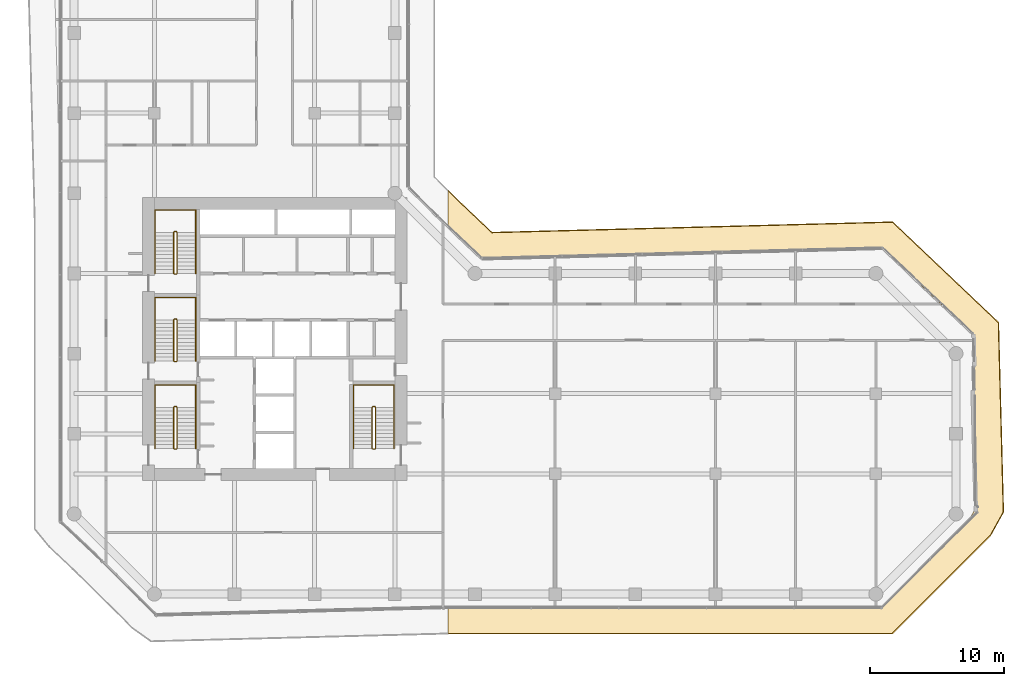
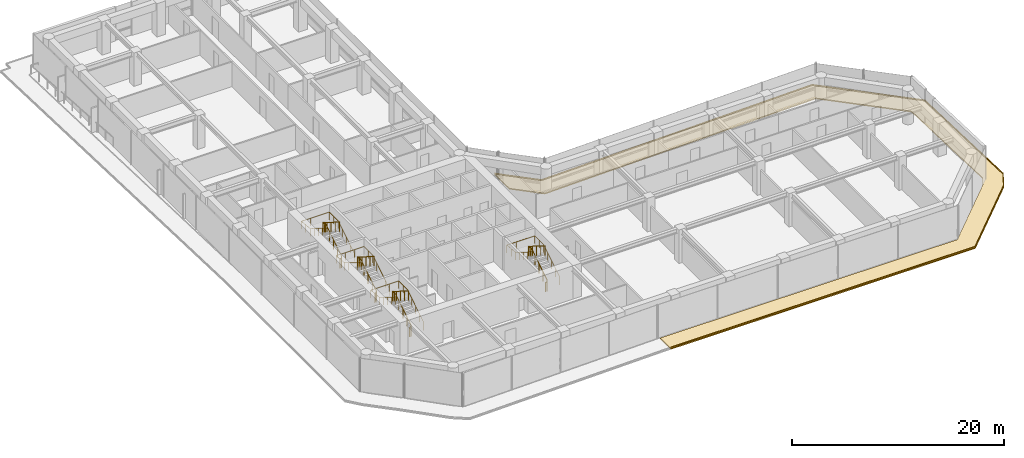
# One storey, part 28 of 29: 8 railings, 2 coverings.
"""IFC4 building model written with IfcOpenShell, lengths in metres."""

from ifc_helpers import new_model, si_unit, direction, frame, origin, origin_2d, place, context, subcontext, project, spatial, polyline, circle, outline, extrude, material, layer, layer_set, type_object, element, save


model = new_model("IFC4")

# Units and contexts
model_context = context("Model", 3, precision=1e-05, world=origin(), true_north=direction((0.0, 1.0)))
body_context = subcontext(model_context, "Body", "Model", "MODEL_VIEW")
ifc_project = project(units=[si_unit("LENGTHUNIT", "METRE"), si_unit("AREAUNIT", "SQUARE_METRE"), si_unit("VOLUMEUNIT", "CUBIC_METRE"), si_unit("PLANEANGLEUNIT", "RADIAN"), si_unit("MASSUNIT", "GRAM", prefix="KILO")], contexts=[model_context])

# Site, building, storey
site_placement = place(None, origin())
site = spatial("IfcSite", under=ifc_project, at=site_placement, CompositionType="ELEMENT")
building_placement = place(site_placement, origin())
building = spatial("IfcBuilding", under=site, at=building_placement, Name="Welwitschia Terrace Campus", CompositionType="ELEMENT")
storey_placement = place(building_placement, frame((0.0, 0.0, 58.39990234375)))
storey = spatial("IfcBuildingStorey", under=building, at=storey_placement, Name="L13", CompositionType="ELEMENT", Elevation=58.39990234375)

# Railings
ifc_material_1 = material(Name="Steel S355", Category="steel")
railing_type_1 = type_object("IfcRailingType", Name="Stair guard 1100", PredefinedType="GUARDRAIL", material=ifc_material_1)
railing_1_placement = place(storey_placement, frame((7.5, 6.85009765625, 0.0)))
element("IfcRailing", 1, at=railing_1_placement, inside=storey, type_object=railing_type_1, Name="L13 S1 stair guard", PredefinedType="GUARDRAIL", context=body_context, shape_type="SweptSolid", body=[
    extrude(circle(Radius=0.02392578125, at=origin_2d()), frame((0.0, 0.0, 1.076171875), z_axis=(1.0, 0.0, 0.0), x_axis=(0.0, 1.0, 0.0)), (0.0, 0.0, 1.0), 0.14990234375),
    extrude(circle(Radius=0.02392578125, at=origin_2d()), frame((0.14990234375, 0.0, 1.076171875), z_axis=(0.265155923931, 0.263862480399, 0.927399011991), x_axis=(-0.705375805398, 0.708833529934, 0.0)), (0.0, 0.0, 1.0), 0.188720703125),
    extrude(circle(Radius=0.02392578125, at=origin_2d()), frame((0.199951171875, 0.0498046875, 1.2509765625), z_axis=(0.0, 0.847998304005, 0.529998940003), x_axis=(-1.0, 0.0, 0.0)), (0.0, 0.0, 1.0), 3.632080078125),
    extrude(circle(Radius=0.02392578125, at=origin_2d()), frame((0.199951171875, 3.1298828125, 3.17626953125), z_axis=(-0.707106781187, 0.707106781187, 0.0), x_axis=(-0.707106781187, -0.707106781187, 0.0)), (0.0, 0.0, 1.0), 0.07080078125),
    extrude(circle(Radius=0.02392578125, at=origin_2d()), frame((0.14990234375, 3.179931640625, 3.17626953125), z_axis=(-1.0, 0.0, 0.0), x_axis=(0.0, -1.0, 0.0)), (0.0, 0.0, 1.0), 0.14990234375),
    extrude(circle(Radius=0.02392578125, at=origin_2d()), frame((0.0, 3.179931640625, 3.17626953125), z_axis=(-0.265065253269, -0.265065253269, 0.927081885822), x_axis=(0.707106781187, -0.707106781187, 0.0)), (0.0, 0.0, 1.0), 0.188720703125),
    extrude(circle(Radius=0.02392578125, at=origin_2d()), frame((-0.050048828125, 3.1298828125, 3.35107421875), z_axis=(0.0, -0.847998304005, 0.529998940003), x_axis=(1.0, 0.0, 0.0)), (0.0, 0.0, 1.0), 3.632080078125),
    extrude(circle(Radius=0.02099609375, at=origin_2d()), origin(), (0.0, 0.0, 1.0), 1.052001953125),
    extrude(circle(Radius=0.02099609375, at=origin_2d()), frame((0.14990234375, 0.0, 0.0)), (0.0, 0.0, 1.0), 1.052001953125),
    extrude(circle(Radius=0.02099609375, at=origin_2d()), frame((0.199951171875, 0.0498046875, 0.175048828125)), (0.0, 0.0, 1.0), 1.052001953125),
    extrude(circle(Radius=0.02099609375, at=origin_2d()), frame((0.199951171875, 0.81982421875, 0.65625)), (0.0, 0.0, 1.0), 1.052001953125),
    extrude(circle(Radius=0.02099609375, at=origin_2d()), frame((0.199951171875, 1.58984375, 1.1376953125)), (0.0, 0.0, 1.0), 1.052001953125),
    extrude(circle(Radius=0.02099609375, at=origin_2d()), frame((0.199951171875, 2.35986328125, 1.618896484375)), (0.0, 0.0, 1.0), 1.052001953125),
    extrude(circle(Radius=0.02099609375, at=origin_2d()), frame((0.199951171875, 3.1298828125, 2.10009765625)), (0.0, 0.0, 1.0), 1.052001953125),
    extrude(circle(Radius=0.02099609375, at=origin_2d()), frame((0.14990234375, 3.179931640625, 2.10009765625)), (0.0, 0.0, 1.0), 1.052001953125),
    extrude(circle(Radius=0.02099609375, at=origin_2d()), frame((0.0, 3.179931640625, 2.10009765625)), (0.0, 0.0, 1.0), 1.052001953125),
    extrude(circle(Radius=0.02099609375, at=origin_2d()), frame((-0.050048828125, 3.1298828125, 2.275146484375)), (0.0, 0.0, 1.0), 1.052001953125),
    extrude(circle(Radius=0.02099609375, at=origin_2d()), frame((-0.050048828125, 2.35986328125, 2.75634765625)), (0.0, 0.0, 1.0), 1.052001953125),
    extrude(circle(Radius=0.02099609375, at=origin_2d()), frame((-0.050048828125, 1.58984375, 3.23779296875)), (0.0, 0.0, 1.0), 1.052001953125),
    extrude(circle(Radius=0.02099609375, at=origin_2d()), frame((-0.050048828125, 0.81982421875, 3.718994140625)), (0.0, 0.0, 1.0), 1.052001953125),
    extrude(circle(Radius=0.02099609375, at=origin_2d()), frame((-0.050048828125, 0.0498046875, 4.2001953125)), (0.0, 0.0, 1.0), 1.052001953125),
])
railing_2_placement = place(storey_placement, frame((7.5, 13.39990234375, 0.0)))
element("IfcRailing", 2, at=railing_2_placement, inside=storey, type_object=railing_type_1, Name="L13 S3 stair guard", PredefinedType="GUARDRAIL", context=body_context, shape_type="SweptSolid", body=[
    extrude(circle(Radius=0.02392578125, at=origin_2d()), frame((0.0, 0.0, 1.076171875), z_axis=(1.0, 0.0, 0.0), x_axis=(0.0, 1.0, 0.0)), (0.0, 0.0, 1.0), 0.14990234375),
    extrude(circle(Radius=0.02392578125, at=origin_2d()), frame((0.14990234375, 0.0, 1.076171875), z_axis=(0.265065253269, 0.265065253269, 0.927081885822), x_axis=(-0.707106781187, 0.707106781187, 0.0)), (0.0, 0.0, 1.0), 0.188720703125),
    extrude(circle(Radius=0.02392578125, at=origin_2d()), frame((0.199951171875, 0.050048828125, 1.2509765625), z_axis=(0.0, 0.847998304005, 0.529998940003), x_axis=(-1.0, 0.0, 0.0)), (0.0, 0.0, 1.0), 3.632080078125),
    extrude(circle(Radius=0.02392578125, at=origin_2d()), frame((0.199951171875, 3.130126953125, 3.17626953125), z_axis=(-0.707106781187, 0.707106781187, 0.0), x_axis=(-0.707106781187, -0.707106781187, 0.0)), (0.0, 0.0, 1.0), 0.07080078125),
    extrude(circle(Radius=0.02392578125, at=origin_2d()), frame((0.14990234375, 3.18017578125, 3.17626953125), z_axis=(-1.0, 0.0, 0.0), x_axis=(0.0, -1.0, 0.0)), (0.0, 0.0, 1.0), 0.14990234375),
    extrude(circle(Radius=0.02392578125, at=origin_2d()), frame((0.0, 3.18017578125, 3.17626953125), z_axis=(-0.265065253269, -0.265065253269, 0.927081885822), x_axis=(0.707106781187, -0.707106781187, 0.0)), (0.0, 0.0, 1.0), 0.188720703125),
    extrude(circle(Radius=0.02392578125, at=origin_2d()), frame((-0.050048828125, 3.130126953125, 3.35107421875), z_axis=(0.0, -0.847998304005, 0.529998940003), x_axis=(1.0, 0.0, 0.0)), (0.0, 0.0, 1.0), 3.632080078125),
    extrude(circle(Radius=0.02099609375, at=origin_2d()), origin(), (0.0, 0.0, 1.0), 1.052001953125),
    extrude(circle(Radius=0.02099609375, at=origin_2d()), frame((0.14990234375, 0.0, 0.0)), (0.0, 0.0, 1.0), 1.052001953125),
    extrude(circle(Radius=0.02099609375, at=origin_2d()), frame((0.199951171875, 0.050048828125, 0.175048828125)), (0.0, 0.0, 1.0), 1.052001953125),
    extrude(circle(Radius=0.02099609375, at=origin_2d()), frame((0.199951171875, 0.820068359375, 0.65625)), (0.0, 0.0, 1.0), 1.052001953125),
    extrude(circle(Radius=0.02099609375, at=origin_2d()), frame((0.199951171875, 1.590087890625, 1.1376953125)), (0.0, 0.0, 1.0), 1.052001953125),
    extrude(circle(Radius=0.02099609375, at=origin_2d()), frame((0.199951171875, 2.360107421875, 1.618896484375)), (0.0, 0.0, 1.0), 1.052001953125),
    extrude(circle(Radius=0.02099609375, at=origin_2d()), frame((0.199951171875, 3.130126953125, 2.10009765625)), (0.0, 0.0, 1.0), 1.052001953125),
    extrude(circle(Radius=0.02099609375, at=origin_2d()), frame((0.14990234375, 3.18017578125, 2.10009765625)), (0.0, 0.0, 1.0), 1.052001953125),
    extrude(circle(Radius=0.02099609375, at=origin_2d()), frame((0.0, 3.18017578125, 2.10009765625)), (0.0, 0.0, 1.0), 1.052001953125),
    extrude(circle(Radius=0.02099609375, at=origin_2d()), frame((-0.050048828125, 3.130126953125, 2.275146484375)), (0.0, 0.0, 1.0), 1.052001953125),
    extrude(circle(Radius=0.02099609375, at=origin_2d()), frame((-0.050048828125, 2.360107421875, 2.75634765625)), (0.0, 0.0, 1.0), 1.052001953125),
    extrude(circle(Radius=0.02099609375, at=origin_2d()), frame((-0.050048828125, 1.590087890625, 3.23779296875)), (0.0, 0.0, 1.0), 1.052001953125),
    extrude(circle(Radius=0.02099609375, at=origin_2d()), frame((-0.050048828125, 0.820068359375, 3.718994140625)), (0.0, 0.0, 1.0), 1.052001953125),
    extrude(circle(Radius=0.02099609375, at=origin_2d()), frame((-0.050048828125, 0.050048828125, 4.2001953125)), (0.0, 0.0, 1.0), 1.052001953125),
])
railing_3_placement = place(storey_placement, frame((7.5, 19.949951171875, 0.0)))
element("IfcRailing", 3, at=railing_3_placement, inside=storey, type_object=railing_type_1, Name="L13 S4 stair guard", PredefinedType="GUARDRAIL", context=body_context, shape_type="SweptSolid", body=[
    extrude(circle(Radius=0.02392578125, at=origin_2d()), frame((0.0, 0.0, 1.076171875), z_axis=(1.0, 0.0, 0.0), x_axis=(0.0, 1.0, 0.0)), (0.0, 0.0, 1.0), 0.14990234375),
    extrude(circle(Radius=0.02392578125, at=origin_2d()), frame((0.14990234375, 0.0, 1.076171875), z_axis=(0.265065253269, 0.265065253269, 0.927081885822), x_axis=(-0.707106781187, 0.707106781187, 0.0)), (0.0, 0.0, 1.0), 0.188720703125),
    extrude(circle(Radius=0.02392578125, at=origin_2d()), frame((0.199951171875, 0.050048828125, 1.2509765625), z_axis=(0.0, 0.847998304005, 0.529998940003), x_axis=(-1.0, 0.0, 0.0)), (0.0, 0.0, 1.0), 3.632080078125),
    extrude(circle(Radius=0.02392578125, at=origin_2d()), frame((0.199951171875, 3.130126953125, 3.17626953125), z_axis=(-0.708833529934, 0.705375805398, 0.0), x_axis=(-0.705375805398, -0.708833529934, 0.0)), (0.0, 0.0, 1.0), 0.070556640625),
    extrude(circle(Radius=0.02392578125, at=origin_2d()), frame((0.14990234375, 3.179931640625, 3.17626953125), z_axis=(-1.0, 0.0, 0.0), x_axis=(0.0, -1.0, 0.0)), (0.0, 0.0, 1.0), 0.14990234375),
    extrude(circle(Radius=0.02392578125, at=origin_2d()), frame((0.0, 3.179931640625, 3.17626953125), z_axis=(-0.265155923931, -0.263862480399, 0.927399011991), x_axis=(0.705375805398, -0.708833529934, 0.0)), (0.0, 0.0, 1.0), 0.188720703125),
    extrude(circle(Radius=0.02392578125, at=origin_2d()), frame((-0.050048828125, 3.130126953125, 3.35107421875), z_axis=(0.0, -0.847998304005, 0.529998940003), x_axis=(1.0, 0.0, 0.0)), (0.0, 0.0, 1.0), 3.632080078125),
    extrude(circle(Radius=0.02099609375, at=origin_2d()), origin(), (0.0, 0.0, 1.0), 1.052001953125),
    extrude(circle(Radius=0.02099609375, at=origin_2d()), frame((0.14990234375, 0.0, 0.0)), (0.0, 0.0, 1.0), 1.052001953125),
    extrude(circle(Radius=0.02099609375, at=origin_2d()), frame((0.199951171875, 0.050048828125, 0.175048828125)), (0.0, 0.0, 1.0), 1.052001953125),
    extrude(circle(Radius=0.02099609375, at=origin_2d()), frame((0.199951171875, 0.820068359375, 0.65625)), (0.0, 0.0, 1.0), 1.052001953125),
    extrude(circle(Radius=0.02099609375, at=origin_2d()), frame((0.199951171875, 1.590087890625, 1.1376953125)), (0.0, 0.0, 1.0), 1.052001953125),
    extrude(circle(Radius=0.02099609375, at=origin_2d()), frame((0.199951171875, 2.360107421875, 1.618896484375)), (0.0, 0.0, 1.0), 1.052001953125),
    extrude(circle(Radius=0.02099609375, at=origin_2d()), frame((0.199951171875, 3.130126953125, 2.10009765625)), (0.0, 0.0, 1.0), 1.052001953125),
    extrude(circle(Radius=0.02099609375, at=origin_2d()), frame((0.14990234375, 3.179931640625, 2.10009765625)), (0.0, 0.0, 1.0), 1.052001953125),
    extrude(circle(Radius=0.02099609375, at=origin_2d()), frame((0.0, 3.179931640625, 2.10009765625)), (0.0, 0.0, 1.0), 1.052001953125),
    extrude(circle(Radius=0.02099609375, at=origin_2d()), frame((-0.050048828125, 3.130126953125, 2.275146484375)), (0.0, 0.0, 1.0), 1.052001953125),
    extrude(circle(Radius=0.02099609375, at=origin_2d()), frame((-0.050048828125, 2.360107421875, 2.75634765625)), (0.0, 0.0, 1.0), 1.052001953125),
    extrude(circle(Radius=0.02099609375, at=origin_2d()), frame((-0.050048828125, 1.590087890625, 3.23779296875)), (0.0, 0.0, 1.0), 1.052001953125),
    extrude(circle(Radius=0.02099609375, at=origin_2d()), frame((-0.050048828125, 0.820068359375, 3.718994140625)), (0.0, 0.0, 1.0), 1.052001953125),
    extrude(circle(Radius=0.02099609375, at=origin_2d()), frame((-0.050048828125, 0.050048828125, 4.2001953125)), (0.0, 0.0, 1.0), 1.052001953125),
])
railing_4_placement = place(storey_placement, frame((22.35009765625, 6.85009765625, 0.0)))
element("IfcRailing", 4, at=railing_4_placement, inside=storey, type_object=railing_type_1, Name="L13 S2 stair guard", PredefinedType="GUARDRAIL", context=body_context, shape_type="SweptSolid", body=[
    extrude(circle(Radius=0.02392578125, at=origin_2d()), frame((0.0, 0.0, 1.076171875), z_axis=(1.0, 0.0, 0.0), x_axis=(0.0, 1.0, 0.0)), (0.0, 0.0, 1.0), 0.14990234375),
    extrude(circle(Radius=0.02392578125, at=origin_2d()), frame((0.14990234375, 0.0, 1.076171875), z_axis=(0.265155923931, 0.263862480399, 0.927399011991), x_axis=(-0.705375805398, 0.708833529934, 0.0)), (0.0, 0.0, 1.0), 0.188720703125),
    extrude(circle(Radius=0.02392578125, at=origin_2d()), frame((0.199951171875, 0.0498046875, 1.2509765625), z_axis=(0.0, 0.847998304005, 0.529998940003), x_axis=(-1.0, 0.0, 0.0)), (0.0, 0.0, 1.0), 3.632080078125),
    extrude(circle(Radius=0.02392578125, at=origin_2d()), frame((0.199951171875, 3.1298828125, 3.17626953125), z_axis=(-0.707106781187, 0.707106781187, 0.0), x_axis=(-0.707106781187, -0.707106781187, 0.0)), (0.0, 0.0, 1.0), 0.07080078125),
    extrude(circle(Radius=0.02392578125, at=origin_2d()), frame((0.14990234375, 3.179931640625, 3.17626953125), z_axis=(-1.0, 0.0, 0.0), x_axis=(0.0, -1.0, 0.0)), (0.0, 0.0, 1.0), 0.14990234375),
    extrude(circle(Radius=0.02392578125, at=origin_2d()), frame((0.0, 3.179931640625, 3.17626953125), z_axis=(-0.265065253269, -0.265065253269, 0.927081885822), x_axis=(0.707106781187, -0.707106781187, 0.0)), (0.0, 0.0, 1.0), 0.188720703125),
    extrude(circle(Radius=0.02392578125, at=origin_2d()), frame((-0.050048828125, 3.1298828125, 3.35107421875), z_axis=(0.0, -0.847998304005, 0.529998940003), x_axis=(1.0, 0.0, 0.0)), (0.0, 0.0, 1.0), 3.632080078125),
    extrude(circle(Radius=0.02099609375, at=origin_2d()), origin(), (0.0, 0.0, 1.0), 1.052001953125),
    extrude(circle(Radius=0.02099609375, at=origin_2d()), frame((0.14990234375, 0.0, 0.0)), (0.0, 0.0, 1.0), 1.052001953125),
    extrude(circle(Radius=0.02099609375, at=origin_2d()), frame((0.199951171875, 0.0498046875, 0.175048828125)), (0.0, 0.0, 1.0), 1.052001953125),
    extrude(circle(Radius=0.02099609375, at=origin_2d()), frame((0.199951171875, 0.81982421875, 0.65625)), (0.0, 0.0, 1.0), 1.052001953125),
    extrude(circle(Radius=0.02099609375, at=origin_2d()), frame((0.199951171875, 1.58984375, 1.1376953125)), (0.0, 0.0, 1.0), 1.052001953125),
    extrude(circle(Radius=0.02099609375, at=origin_2d()), frame((0.199951171875, 2.35986328125, 1.618896484375)), (0.0, 0.0, 1.0), 1.052001953125),
    extrude(circle(Radius=0.02099609375, at=origin_2d()), frame((0.199951171875, 3.1298828125, 2.10009765625)), (0.0, 0.0, 1.0), 1.052001953125),
    extrude(circle(Radius=0.02099609375, at=origin_2d()), frame((0.14990234375, 3.179931640625, 2.10009765625)), (0.0, 0.0, 1.0), 1.052001953125),
    extrude(circle(Radius=0.02099609375, at=origin_2d()), frame((0.0, 3.179931640625, 2.10009765625)), (0.0, 0.0, 1.0), 1.052001953125),
    extrude(circle(Radius=0.02099609375, at=origin_2d()), frame((-0.050048828125, 3.1298828125, 2.275146484375)), (0.0, 0.0, 1.0), 1.052001953125),
    extrude(circle(Radius=0.02099609375, at=origin_2d()), frame((-0.050048828125, 2.35986328125, 2.75634765625)), (0.0, 0.0, 1.0), 1.052001953125),
    extrude(circle(Radius=0.02099609375, at=origin_2d()), frame((-0.050048828125, 1.58984375, 3.23779296875)), (0.0, 0.0, 1.0), 1.052001953125),
    extrude(circle(Radius=0.02099609375, at=origin_2d()), frame((-0.050048828125, 0.81982421875, 3.718994140625)), (0.0, 0.0, 1.0), 1.052001953125),
    extrude(circle(Radius=0.02099609375, at=origin_2d()), frame((-0.050048828125, 0.0498046875, 4.2001953125)), (0.0, 0.0, 1.0), 1.052001953125),
])
ifc_material_2 = material(Name="Steel S355", Category="steel")
railing_type_2 = type_object("IfcRailingType", Name="Stair handrail 900", PredefinedType="HANDRAIL", material=ifc_material_2)
railing_5_placement = place(storey_placement, frame((9.10009765625, 6.89990234375, 0.175048828125)))
element("IfcRailing", 5, at=railing_5_placement, inside=storey, type_object=railing_type_2, Name="L13 S1 stair handrail", PredefinedType="HANDRAIL", context=body_context, shape_type="SweptSolid", body=[
    extrude(circle(Radius=0.02392578125, at=origin_2d()), frame((0.0, 0.0, 0.8759765625), z_axis=(0.0, 0.847998304005, 0.529998940003), x_axis=(-1.0, 0.0, 0.0)), (0.0, 0.0, 1.0), 3.632080078125),
    extrude(circle(Radius=0.02392578125, at=origin_2d()), frame((0.0, 3.080078125, 2.80078125), z_axis=(0.0, 1.0, 0.0), x_axis=(-1.0, 0.0, 0.0)), (0.0, 0.0, 1.0), 1.669921875),
    extrude(circle(Radius=0.02392578125, at=origin_2d()), frame((0.0, 4.75, 2.80078125), z_axis=(-1.0, 0.0, 0.0), x_axis=(0.0, -1.0, 0.0)), (0.0, 0.0, 1.0), 3.050048828125),
    extrude(circle(Radius=0.02392578125, at=origin_2d()), frame((-3.050048828125, 4.75, 2.80078125), z_axis=(0.0, -0.99455077262, 0.104253348533), x_axis=(1.0, 0.0, 0.0)), (0.0, 0.0, 1.0), 1.678955078125),
    extrude(circle(Radius=0.02392578125, at=origin_2d()), frame((-3.050048828125, 3.080078125, 2.97607421875), z_axis=(0.0, -0.847998304005, 0.529998940003), x_axis=(1.0, 0.0, 0.0)), (0.0, 0.0, 1.0), 3.632080078125),
    extrude(circle(Radius=0.02099609375, at=origin_2d()), origin(), (0.0, 0.0, 1.0), 0.851806640625),
    extrude(circle(Radius=0.02099609375, at=origin_2d()), frame((0.0, 0.77001953125, 0.481201171875)), (0.0, 0.0, 1.0), 0.851806640625),
    extrude(circle(Radius=0.02099609375, at=origin_2d()), frame((0.0, 1.5400390625, 0.96240234375)), (0.0, 0.0, 1.0), 0.851806640625),
    extrude(circle(Radius=0.02099609375, at=origin_2d()), frame((0.0, 2.31005859375, 1.44384765625)), (0.0, 0.0, 1.0), 0.851806640625),
    extrude(circle(Radius=0.02099609375, at=origin_2d()), frame((0.0, 3.080078125, 1.925048828125)), (0.0, 0.0, 1.0), 0.851806640625),
    extrude(circle(Radius=0.02099609375, at=origin_2d()), frame((0.0, 3.9150390625, 1.925048828125)), (0.0, 0.0, 1.0), 0.851806640625),
    extrude(circle(Radius=0.02099609375, at=origin_2d()), frame((0.0, 4.75, 1.925048828125)), (0.0, 0.0, 1.0), 0.851806640625),
    extrude(circle(Radius=0.02099609375, at=origin_2d()), frame((-1.0166015625, 4.75, 1.925048828125)), (0.0, 0.0, 1.0), 0.851806640625),
    extrude(circle(Radius=0.02099609375, at=origin_2d()), frame((-2.033447265625, 4.75, 1.925048828125)), (0.0, 0.0, 1.0), 0.851806640625),
    extrude(circle(Radius=0.02099609375, at=origin_2d()), frame((-3.050048828125, 4.75, 1.925048828125)), (0.0, 0.0, 1.0), 0.851806640625),
    extrude(circle(Radius=0.02099609375, at=origin_2d()), frame((-3.050048828125, 3.9150390625, 2.0126953125)), (0.0, 0.0, 1.0), 0.851806640625),
    extrude(circle(Radius=0.02099609375, at=origin_2d()), frame((-3.050048828125, 3.080078125, 2.10009765625)), (0.0, 0.0, 1.0), 0.851806640625),
    extrude(circle(Radius=0.02099609375, at=origin_2d()), frame((-3.050048828125, 2.31005859375, 2.581298828125)), (0.0, 0.0, 1.0), 0.851806640625),
    extrude(circle(Radius=0.02099609375, at=origin_2d()), frame((-3.050048828125, 1.5400390625, 3.0625)), (0.0, 0.0, 1.0), 0.851806640625),
    extrude(circle(Radius=0.02099609375, at=origin_2d()), frame((-3.050048828125, 0.77001953125, 3.5439453125)), (0.0, 0.0, 1.0), 0.851806640625),
    extrude(circle(Radius=0.02099609375, at=origin_2d()), frame((-3.050048828125, 0.0, 4.025146484375)), (0.0, 0.0, 1.0), 0.851806640625),
])
railing_6_placement = place(storey_placement, frame((9.10009765625, 13.449951171875, 0.175048828125)))
element("IfcRailing", 6, at=railing_6_placement, inside=storey, type_object=railing_type_2, Name="L13 S3 stair handrail", PredefinedType="HANDRAIL", context=body_context, shape_type="SweptSolid", body=[
    extrude(circle(Radius=0.02392578125, at=origin_2d()), frame((0.0, 0.0, 0.8759765625), z_axis=(0.0, 0.847998304005, 0.529998940003), x_axis=(-1.0, 0.0, 0.0)), (0.0, 0.0, 1.0), 3.632080078125),
    extrude(circle(Radius=0.02392578125, at=origin_2d()), frame((0.0, 3.080078125, 2.80078125), z_axis=(0.0, 1.0, 0.0), x_axis=(-1.0, 0.0, 0.0)), (0.0, 0.0, 1.0), 1.669921875),
    extrude(circle(Radius=0.02392578125, at=origin_2d()), frame((0.0, 4.75, 2.80078125), z_axis=(-1.0, 0.0, 0.0), x_axis=(0.0, -1.0, 0.0)), (0.0, 0.0, 1.0), 3.050048828125),
    extrude(circle(Radius=0.02392578125, at=origin_2d()), frame((-3.050048828125, 4.75, 2.80078125), z_axis=(0.0, -0.99455077262, 0.104253348533), x_axis=(1.0, 0.0, 0.0)), (0.0, 0.0, 1.0), 1.678955078125),
    extrude(circle(Radius=0.02392578125, at=origin_2d()), frame((-3.050048828125, 3.080078125, 2.97607421875), z_axis=(0.0, -0.847998304005, 0.529998940003), x_axis=(1.0, 0.0, 0.0)), (0.0, 0.0, 1.0), 3.632080078125),
    extrude(circle(Radius=0.02099609375, at=origin_2d()), origin(), (0.0, 0.0, 1.0), 0.851806640625),
    extrude(circle(Radius=0.02099609375, at=origin_2d()), frame((0.0, 0.77001953125, 0.481201171875)), (0.0, 0.0, 1.0), 0.851806640625),
    extrude(circle(Radius=0.02099609375, at=origin_2d()), frame((0.0, 1.5400390625, 0.96240234375)), (0.0, 0.0, 1.0), 0.851806640625),
    extrude(circle(Radius=0.02099609375, at=origin_2d()), frame((0.0, 2.31005859375, 1.44384765625)), (0.0, 0.0, 1.0), 0.851806640625),
    extrude(circle(Radius=0.02099609375, at=origin_2d()), frame((0.0, 3.080078125, 1.925048828125)), (0.0, 0.0, 1.0), 0.851806640625),
    extrude(circle(Radius=0.02099609375, at=origin_2d()), frame((0.0, 3.9150390625, 1.925048828125)), (0.0, 0.0, 1.0), 0.851806640625),
    extrude(circle(Radius=0.02099609375, at=origin_2d()), frame((0.0, 4.75, 1.925048828125)), (0.0, 0.0, 1.0), 0.851806640625),
    extrude(circle(Radius=0.02099609375, at=origin_2d()), frame((-1.0166015625, 4.75, 1.925048828125)), (0.0, 0.0, 1.0), 0.851806640625),
    extrude(circle(Radius=0.02099609375, at=origin_2d()), frame((-2.033447265625, 4.75, 1.925048828125)), (0.0, 0.0, 1.0), 0.851806640625),
    extrude(circle(Radius=0.02099609375, at=origin_2d()), frame((-3.050048828125, 4.75, 1.925048828125)), (0.0, 0.0, 1.0), 0.851806640625),
    extrude(circle(Radius=0.02099609375, at=origin_2d()), frame((-3.050048828125, 3.9150390625, 2.0126953125)), (0.0, 0.0, 1.0), 0.851806640625),
    extrude(circle(Radius=0.02099609375, at=origin_2d()), frame((-3.050048828125, 3.080078125, 2.10009765625)), (0.0, 0.0, 1.0), 0.851806640625),
    extrude(circle(Radius=0.02099609375, at=origin_2d()), frame((-3.050048828125, 2.31005859375, 2.581298828125)), (0.0, 0.0, 1.0), 0.851806640625),
    extrude(circle(Radius=0.02099609375, at=origin_2d()), frame((-3.050048828125, 1.5400390625, 3.0625)), (0.0, 0.0, 1.0), 0.851806640625),
    extrude(circle(Radius=0.02099609375, at=origin_2d()), frame((-3.050048828125, 0.77001953125, 3.5439453125)), (0.0, 0.0, 1.0), 0.851806640625),
    extrude(circle(Radius=0.02099609375, at=origin_2d()), frame((-3.050048828125, 0.0, 4.025146484375)), (0.0, 0.0, 1.0), 0.851806640625),
])
railing_7_placement = place(storey_placement, frame((9.10009765625, 20.0, 0.175048828125)))
element("IfcRailing", 7, at=railing_7_placement, inside=storey, type_object=railing_type_2, Name="L13 S4 stair handrail", PredefinedType="HANDRAIL", context=body_context, shape_type="SweptSolid", body=[
    extrude(circle(Radius=0.02392578125, at=origin_2d()), frame((0.0, 0.0, 0.8759765625), z_axis=(0.0, 0.847998304005, 0.529998940003), x_axis=(-1.0, 0.0, 0.0)), (0.0, 0.0, 1.0), 3.632080078125),
    extrude(circle(Radius=0.02392578125, at=origin_2d()), frame((0.0, 3.080078125, 2.80078125), z_axis=(0.0, 1.0, 0.0), x_axis=(-1.0, 0.0, 0.0)), (0.0, 0.0, 1.0), 1.669921875),
    extrude(circle(Radius=0.02392578125, at=origin_2d()), frame((0.0, 4.75, 2.80078125), z_axis=(-1.0, 0.0, 0.0), x_axis=(0.0, -1.0, 0.0)), (0.0, 0.0, 1.0), 3.050048828125),
    extrude(circle(Radius=0.02392578125, at=origin_2d()), frame((-3.050048828125, 4.75, 2.80078125), z_axis=(0.0, -0.99455077262, 0.104253348533), x_axis=(1.0, 0.0, 0.0)), (0.0, 0.0, 1.0), 1.678955078125),
    extrude(circle(Radius=0.02392578125, at=origin_2d()), frame((-3.050048828125, 3.080078125, 2.97607421875), z_axis=(0.0, -0.847998304005, 0.529998940003), x_axis=(1.0, 0.0, 0.0)), (0.0, 0.0, 1.0), 3.632080078125),
    extrude(circle(Radius=0.02099609375, at=origin_2d()), origin(), (0.0, 0.0, 1.0), 0.851806640625),
    extrude(circle(Radius=0.02099609375, at=origin_2d()), frame((0.0, 0.77001953125, 0.481201171875)), (0.0, 0.0, 1.0), 0.851806640625),
    extrude(circle(Radius=0.02099609375, at=origin_2d()), frame((0.0, 1.5400390625, 0.96240234375)), (0.0, 0.0, 1.0), 0.851806640625),
    extrude(circle(Radius=0.02099609375, at=origin_2d()), frame((0.0, 2.31005859375, 1.44384765625)), (0.0, 0.0, 1.0), 0.851806640625),
    extrude(circle(Radius=0.02099609375, at=origin_2d()), frame((0.0, 3.080078125, 1.925048828125)), (0.0, 0.0, 1.0), 0.851806640625),
    extrude(circle(Radius=0.02099609375, at=origin_2d()), frame((0.0, 3.9150390625, 1.925048828125)), (0.0, 0.0, 1.0), 0.851806640625),
    extrude(circle(Radius=0.02099609375, at=origin_2d()), frame((0.0, 4.75, 1.925048828125)), (0.0, 0.0, 1.0), 0.851806640625),
    extrude(circle(Radius=0.02099609375, at=origin_2d()), frame((-1.0166015625, 4.75, 1.925048828125)), (0.0, 0.0, 1.0), 0.851806640625),
    extrude(circle(Radius=0.02099609375, at=origin_2d()), frame((-2.033447265625, 4.75, 1.925048828125)), (0.0, 0.0, 1.0), 0.851806640625),
    extrude(circle(Radius=0.02099609375, at=origin_2d()), frame((-3.050048828125, 4.75, 1.925048828125)), (0.0, 0.0, 1.0), 0.851806640625),
    extrude(circle(Radius=0.02099609375, at=origin_2d()), frame((-3.050048828125, 3.9150390625, 2.0126953125)), (0.0, 0.0, 1.0), 0.851806640625),
    extrude(circle(Radius=0.02099609375, at=origin_2d()), frame((-3.050048828125, 3.080078125, 2.10009765625)), (0.0, 0.0, 1.0), 0.851806640625),
    extrude(circle(Radius=0.02099609375, at=origin_2d()), frame((-3.050048828125, 2.31005859375, 2.581298828125)), (0.0, 0.0, 1.0), 0.851806640625),
    extrude(circle(Radius=0.02099609375, at=origin_2d()), frame((-3.050048828125, 1.5400390625, 3.0625)), (0.0, 0.0, 1.0), 0.851806640625),
    extrude(circle(Radius=0.02099609375, at=origin_2d()), frame((-3.050048828125, 0.77001953125, 3.5439453125)), (0.0, 0.0, 1.0), 0.851806640625),
    extrude(circle(Radius=0.02099609375, at=origin_2d()), frame((-3.050048828125, 0.0, 4.025146484375)), (0.0, 0.0, 1.0), 0.851806640625),
])
railing_8_placement = place(storey_placement, frame((23.949951171875, 6.89990234375, 0.175048828125)))
element("IfcRailing", 8, at=railing_8_placement, inside=storey, type_object=railing_type_2, Name="L13 S2 stair handrail", PredefinedType="HANDRAIL", context=body_context, shape_type="SweptSolid", body=[
    extrude(circle(Radius=0.02392578125, at=origin_2d()), frame((0.0, 0.0, 0.8759765625), z_axis=(0.0, 0.847998304005, 0.529998940003), x_axis=(-1.0, 0.0, 0.0)), (0.0, 0.0, 1.0), 3.632080078125),
    extrude(circle(Radius=0.02392578125, at=origin_2d()), frame((0.0, 3.080078125, 2.80078125), z_axis=(0.0, 1.0, 0.0), x_axis=(-1.0, 0.0, 0.0)), (0.0, 0.0, 1.0), 1.669921875),
    extrude(circle(Radius=0.02392578125, at=origin_2d()), frame((0.0, 4.75, 2.80078125), z_axis=(-1.0, 0.0, 0.0), x_axis=(0.0, -1.0, 0.0)), (0.0, 0.0, 1.0), 3.050048828125),
    extrude(circle(Radius=0.02392578125, at=origin_2d()), frame((-3.050048828125, 4.75, 2.80078125), z_axis=(0.0, -0.99455077262, 0.104253348533), x_axis=(1.0, 0.0, 0.0)), (0.0, 0.0, 1.0), 1.678955078125),
    extrude(circle(Radius=0.02392578125, at=origin_2d()), frame((-3.050048828125, 3.080078125, 2.97607421875), z_axis=(0.0, -0.847998304005, 0.529998940003), x_axis=(1.0, 0.0, 0.0)), (0.0, 0.0, 1.0), 3.632080078125),
    extrude(circle(Radius=0.02099609375, at=origin_2d()), origin(), (0.0, 0.0, 1.0), 0.851806640625),
    extrude(circle(Radius=0.02099609375, at=origin_2d()), frame((0.0, 0.77001953125, 0.481201171875)), (0.0, 0.0, 1.0), 0.851806640625),
    extrude(circle(Radius=0.02099609375, at=origin_2d()), frame((0.0, 1.5400390625, 0.96240234375)), (0.0, 0.0, 1.0), 0.851806640625),
    extrude(circle(Radius=0.02099609375, at=origin_2d()), frame((0.0, 2.31005859375, 1.44384765625)), (0.0, 0.0, 1.0), 0.851806640625),
    extrude(circle(Radius=0.02099609375, at=origin_2d()), frame((0.0, 3.080078125, 1.925048828125)), (0.0, 0.0, 1.0), 0.851806640625),
    extrude(circle(Radius=0.02099609375, at=origin_2d()), frame((0.0, 3.9150390625, 1.925048828125)), (0.0, 0.0, 1.0), 0.851806640625),
    extrude(circle(Radius=0.02099609375, at=origin_2d()), frame((0.0, 4.75, 1.925048828125)), (0.0, 0.0, 1.0), 0.851806640625),
    extrude(circle(Radius=0.02099609375, at=origin_2d()), frame((-1.0166015625, 4.75, 1.925048828125)), (0.0, 0.0, 1.0), 0.851806640625),
    extrude(circle(Radius=0.02099609375, at=origin_2d()), frame((-2.033447265625, 4.75, 1.925048828125)), (0.0, 0.0, 1.0), 0.851806640625),
    extrude(circle(Radius=0.02099609375, at=origin_2d()), frame((-3.050048828125, 4.75, 1.925048828125)), (0.0, 0.0, 1.0), 0.851806640625),
    extrude(circle(Radius=0.02099609375, at=origin_2d()), frame((-3.050048828125, 3.9150390625, 2.0126953125)), (0.0, 0.0, 1.0), 0.851806640625),
    extrude(circle(Radius=0.02099609375, at=origin_2d()), frame((-3.050048828125, 3.080078125, 2.10009765625)), (0.0, 0.0, 1.0), 0.851806640625),
    extrude(circle(Radius=0.02099609375, at=origin_2d()), frame((-3.050048828125, 2.31005859375, 2.581298828125)), (0.0, 0.0, 1.0), 0.851806640625),
    extrude(circle(Radius=0.02099609375, at=origin_2d()), frame((-3.050048828125, 1.5400390625, 3.0625)), (0.0, 0.0, 1.0), 0.851806640625),
    extrude(circle(Radius=0.02099609375, at=origin_2d()), frame((-3.050048828125, 0.77001953125, 3.5439453125)), (0.0, 0.0, 1.0), 0.851806640625),
    extrude(circle(Radius=0.02099609375, at=origin_2d()), frame((-3.050048828125, 0.0, 4.025146484375)), (0.0, 0.0, 1.0), 0.851806640625),
])

# Coverings
ifc_material_3 = material(Name="Bronze anodised aluminium", Category="aluminium")
ifc_layer_1 = layer(ifc_material_3, 0.1201171875)
ifc_layer_set_1 = layer_set([ifc_layer_1], Name="Bronze anodised aluminium")
covering_type_1 = type_object("IfcCoveringType", Name="Sunshade band 2000", PredefinedType="USERDEFINED", material=ifc_layer_set_1)
covering_1_placement = place(storey_placement, frame((0.0, 0.0, -0.25)))
element("IfcCovering", 9, at=covering_1_placement, inside=storey, type_object=covering_type_1, Name="SUNSHADE L13.SE0", ObjectType="SUNSHADE", PredefinedType="USERDEFINED", context=body_context, shape_type="SweptSolid", body=[
    extrude(outline(polyline([(28.595458984375, 25.647216796875), (31.27490234375, 23.1044921875), (61.2646484375, 23.889892578125), (69.222412109375, 16.338134765625), (69.59423828125, 2.14111328125), (68.613037109375, 0.37060546875), (61.24267578125, -7.0), (27.99609375, -7.0), (27.99609375, -5.0), (60.414306640625, -5.0), (67.0, 1.585693359375), (67.58056640625, 2.633544921875), (67.244873046875, 15.45751953125), (60.48876953125, 21.868896484375), (30.4990234375, 21.08349609375), (27.99609375, 23.45849609375), (27.99609375, 26.246337890625), (28.595458984375, 25.647216796875)])), origin(), (0.0, 0.0, 1.0), 0.1201171875),
])
ifc_material_4 = material(Name="Bronze anodised aluminium", Category="aluminium")
ifc_layer_2 = layer(ifc_material_4, 0.06005859375)
ifc_layer_set_2 = layer_set([ifc_layer_2], Name="Bronze anodised aluminium")
covering_type_2 = type_object("IfcCoveringType", Name="Sunshade lip 60", PredefinedType="USERDEFINED", material=ifc_layer_set_2)
covering_2_placement = place(storey_placement, frame((0.0, 0.0, -0.1298828125)))
element("IfcCovering", 10, at=covering_2_placement, inside=storey, type_object=covering_type_2, Name="SUNSHADE LIP L13.SE0.0", ObjectType="SUNSHADE", PredefinedType="USERDEFINED", context=body_context, shape_type="SweptSolid", body=[
    extrude(outline(polyline([(31.27490234375, 23.1044921875), (61.2646484375, 23.889892578125), (69.222412109375, 16.338134765625), (69.59423828125, 2.14111328125), (68.613037109375, 0.37060546875), (61.24267578125, -7.0), (27.99609375, -7.0), (27.99609375, -6.93994140625), (61.2177734375, -6.93994140625), (68.564697265625, 0.406982421875), (69.53369140625, 2.156005859375), (69.1630859375, 16.311767578125), (61.241455078125, 23.8291015625), (31.251708984375, 23.043701171875), (28.553466796875, 25.604248046875), (27.99609375, 26.16162109375), (27.99609375, 26.246337890625), (28.595458984375, 25.647216796875), (31.27490234375, 23.1044921875)])), origin(), (0.0, 0.0, 1.0), 0.1298828125),
])

save(model, "model.ifc")
